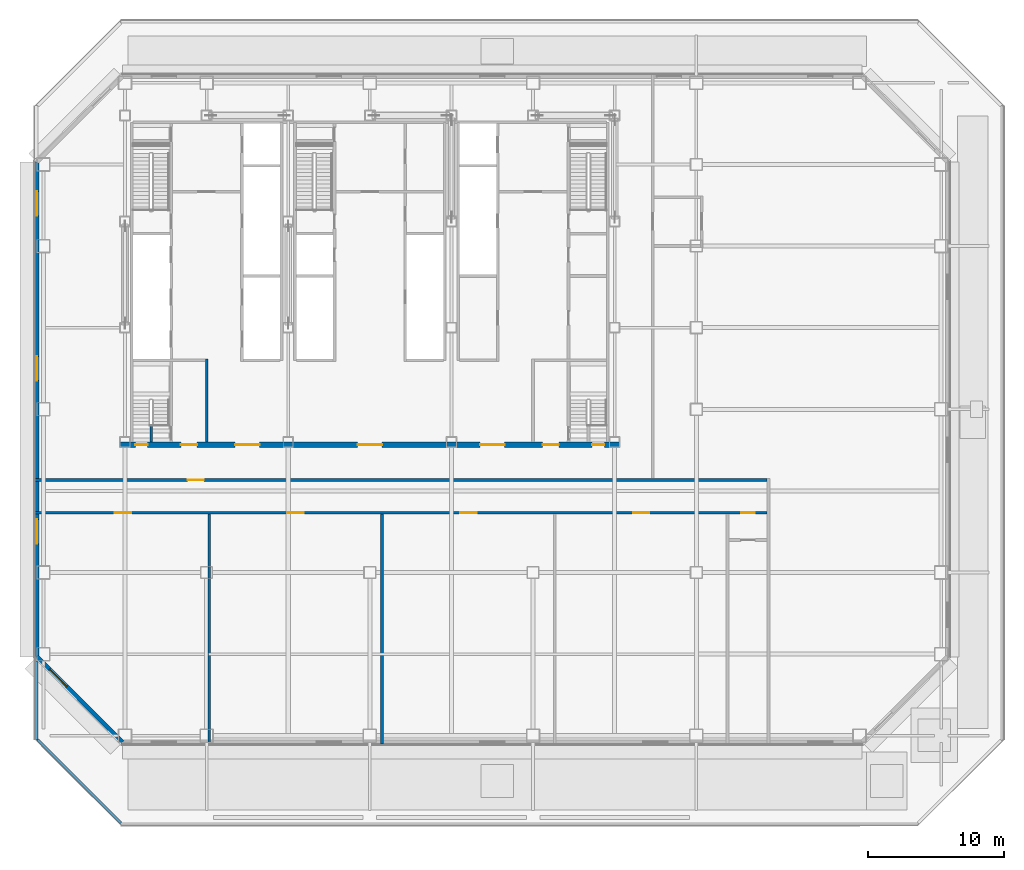
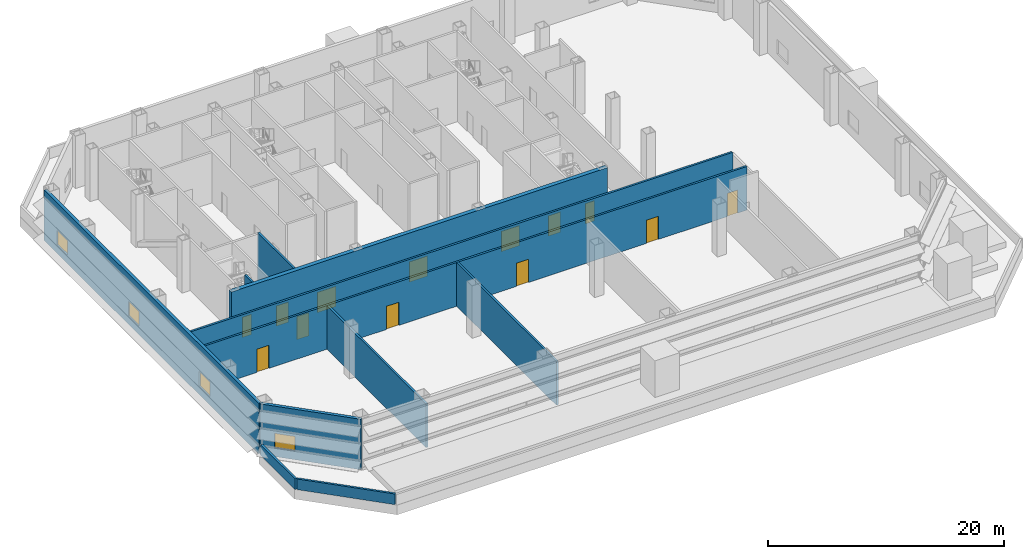
# One storey, part 3 of 11: 13 doors, 11 walls, 4 windows, 17 openings.
"""IFC4 building model written with IfcOpenShell, lengths in metres."""

from ifc_helpers import new_model, si_unit, direction, frame, frame_2d, origin, place, context, subcontext, project, spatial, rectangle, extrude, material, layer, layer_set, type_object, element, fill, save


model = new_model("IFC4")

# Units and contexts
model_context = context("Model", 3, precision=1e-05, world=origin(), true_north=direction((0.0, 1.0)))
body_context = subcontext(model_context, "Body", "Model", "MODEL_VIEW")
ifc_project = project(units=[si_unit("LENGTHUNIT", "METRE"), si_unit("AREAUNIT", "SQUARE_METRE"), si_unit("VOLUMEUNIT", "CUBIC_METRE"), si_unit("PLANEANGLEUNIT", "RADIAN"), si_unit("MASSUNIT", "GRAM", prefix="KILO")], contexts=[model_context])

# Site, building, storey
site_placement = place(None, origin())
site = spatial("IfcSite", under=ifc_project, at=site_placement, CompositionType="ELEMENT")
building_placement = place(site_placement, origin())
building = spatial("IfcBuilding", under=site, at=building_placement, Name="Sorahane Residences", CompositionType="ELEMENT")
storey_placement = place(building_placement, frame((0.0, 0.0, 44.39990234375)))
storey = spatial("IfcBuildingStorey", under=building, at=storey_placement, Name="L07", CompositionType="ELEMENT", Elevation=44.39990234375)

# Wall, opening, door
ifc_material_1 = material(Name="Concrete blockwork C20 wall", Category="masonry")
ifc_layer_1 = layer(ifc_material_1, 0.199951171875)
ifc_layer_set_1 = layer_set([ifc_layer_1], Name="Corridor wall 200 EI 120")
wall_type_1 = type_object("IfcWallType", Name="Corridor wall 200 EI 120", PredefinedType="SOLIDWALL", material=ifc_layer_set_1)
wall_1_placement = place(storey_placement, frame((-0.60009765625, 18.800048828125, 0.0), z_axis=(0.0, 0.0, 1.0), x_axis=(1.0, 0.0, 0.0)))
wall_1 = element("IfcWall", 1, at=wall_1_placement, inside=storey, type_object=wall_type_1, Name="L07 corridor wall", PredefinedType="SOLIDWALL", context=body_context, shape_type="SweptSolid", body=[
    extrude(rectangle(XDim=53.800048828125, YDim=0.199951171875, at=frame_2d((26.89990234375, 0.0))), origin(), (0.0, 0.0, 1.0), 4.52001953125),
])
opening_1_placement = place(wall_1_placement, frame((11.199951171875, 0.0, 0.0)))
opening_1 = element("IfcOpeningElement", 2, at=opening_1_placement, cuts=wall_1, Name="Opening L07-07", PredefinedType="OPENING", context=body_context, shape_type="SweptSolid", body=[
    extrude(rectangle(XDim=1.199951171875, YDim=2.39990234375, at=frame_2d((0.60009765625, 1.199951171875))), frame((0.0, 0.10986328125, 0.0), z_axis=(0.0, -1.0, 0.0), x_axis=(1.0, 0.0, 0.0)), (0.0, 0.0, 1.0), 0.219970703125),
])
ifc_material_2 = material(Name="Steel", Category="steel")
door_type_1 = type_object("IfcDoorType", Name="Lobby door 1200x2400 FD60", OperationType="NOTDEFINED", PredefinedType="DOOR", material=ifc_material_2)
door_1_placement = place(opening_1_placement, frame((1.199951171875, 0.0, 0.0), z_axis=(0.0, 0.0, 1.0), x_axis=(-1.0, 0.0, 0.0)))
door_1 = element("IfcDoor", 3, at=door_1_placement, inside=storey, type_object=door_type_1, Name="Lobby door L07-07", OperationType="SINGLE_SWING_RIGHT", OverallHeight=2.39990234375, OverallWidth=1.199951171875, PredefinedType="DOOR", context=body_context, shape_type="SweptSolid", body=[
    extrude(rectangle(XDim=1.199951171875, YDim=2.39990234375, at=frame_2d((0.60009765625, 1.199951171875))), frame((0.0, 0.02490234375, 0.0), z_axis=(0.0, -1.0, 0.0), x_axis=(1.0, 0.0, 0.0)), (0.0, 0.0, 1.0), 0.050048828125),
])
fill(opening_1, door_1)

# Wall, openings, windows
ifc_material_3 = material(Name="Graphite insulated metal-clad wall")
ifc_layer_2 = layer(ifc_material_3, 0.300048828125)
ifc_layer_set_2 = layer_set([ifc_layer_2], Name="External wall insulated metal-clad 300")
wall_type_2 = type_object("IfcWallType", Name="External wall insulated metal-clad 300", PredefinedType="SOLIDWALL", material=ifc_layer_set_2)
wall_2_placement = place(storey_placement, frame((-0.469970703125, 42.194580078125, 0.0), z_axis=(0.0, 0.0, 1.0), x_axis=(0.0, -1.0, 0.0)))
wall_2 = element("IfcWall", 4, at=wall_2_placement, inside=storey, type_object=wall_type_2, Name="External plant wall L07 W1", PredefinedType="SOLIDWALL", context=body_context, shape_type="SweptSolid", body=[
    extrude(rectangle(XDim=36.38916015625, YDim=0.300048828125, at=frame_2d((18.194580078125, 0.0))), origin(), (0.0, 0.0, 1.0), 5.22021484375),
])
opening_2_placement = place(wall_2_placement, frame((2.17041015625, 0.0, 0.89990234375)))
opening_2 = element("IfcOpeningElement", 5, at=opening_2_placement, cuts=wall_2, Name="Opening W-R1", PredefinedType="OPENING", context=body_context, shape_type="SweptSolid", body=[
    extrude(rectangle(XDim=1.800048828125, YDim=1.5, at=frame_2d((0.89990234375, 0.75))), frame((0.0, 0.159912109375, 0.0), z_axis=(0.0, -1.0, 0.0), x_axis=(1.0, 0.0, 0.0)), (0.0, 0.0, 1.0), 0.320068359375),
])
opening_3_placement = place(wall_2_placement, frame((14.294677734375, 0.0, 0.89990234375)))
opening_3 = element("IfcOpeningElement", 6, at=opening_3_placement, cuts=wall_2, Name="Opening W-R1", PredefinedType="OPENING", context=body_context, shape_type="SweptSolid", body=[
    extrude(rectangle(XDim=1.800048828125, YDim=1.5, at=frame_2d((0.89990234375, 0.75))), frame((0.0, 0.159912109375, 0.0), z_axis=(0.0, -1.0, 0.0), x_axis=(1.0, 0.0, 0.0)), (0.0, 0.0, 1.0), 0.320068359375),
])
opening_4_placement = place(wall_2_placement, frame((26.294677734375, 0.0, 0.89990234375)))
opening_4 = element("IfcOpeningElement", 7, at=opening_4_placement, cuts=wall_2, Name="Opening W-R1", PredefinedType="OPENING", context=body_context, shape_type="SweptSolid", body=[
    extrude(rectangle(XDim=1.800048828125, YDim=1.5, at=frame_2d((0.89990234375, 0.75))), frame((0.0, 0.159912109375, 0.0), z_axis=(0.0, -1.0, 0.0), x_axis=(1.0, 0.0, 0.0)), (0.0, 0.0, 1.0), 0.320068359375),
])
ifc_material_4 = material(Name="Dark aluminium and glass", Category="aluminium")
window_type = type_object("IfcWindowType", Name="Openable Class B fire window dark aluminium 1800x1500", PartitioningType="SINGLE_PANEL", PredefinedType="WINDOW", material=ifc_material_4)
window_1_placement = place(opening_2_placement, origin())
window_1 = element("IfcWindow", 8, at=window_1_placement, inside=storey, type_object=window_type, Name="Openable fire window L07 W1.1", OverallHeight=1.5, OverallWidth=1.800048828125, PartitioningType="SINGLE_PANEL", PredefinedType="WINDOW", context=body_context, shape_type="SweptSolid", body=[
    extrude(rectangle(XDim=1.800048828125, YDim=1.5, at=frame_2d((0.89990234375, 0.75))), frame((0.0, 0.030029296875, 0.0), z_axis=(0.0, -1.0, 0.0), x_axis=(1.0, 0.0, 0.0)), (0.0, 0.0, 1.0), 0.06005859375),
])
fill(opening_2, window_1)
window_2_placement = place(opening_3_placement, origin())
window_2 = element("IfcWindow", 9, at=window_2_placement, inside=storey, type_object=window_type, Name="Openable fire window L07 W1.3", OverallHeight=1.5, OverallWidth=1.800048828125, PartitioningType="SINGLE_PANEL", PredefinedType="WINDOW", context=body_context, shape_type="SweptSolid", body=[
    extrude(rectangle(XDim=1.800048828125, YDim=1.5, at=frame_2d((0.89990234375, 0.75))), frame((0.0, 0.030029296875, 0.0), z_axis=(0.0, -1.0, 0.0), x_axis=(1.0, 0.0, 0.0)), (0.0, 0.0, 1.0), 0.06005859375),
])
fill(opening_3, window_2)
window_3_placement = place(opening_4_placement, origin())
window_3 = element("IfcWindow", 10, at=window_3_placement, inside=storey, type_object=window_type, Name="Openable fire window L07 W1.5", OverallHeight=1.5, OverallWidth=1.800048828125, PartitioningType="SINGLE_PANEL", PredefinedType="WINDOW", context=body_context, shape_type="SweptSolid", body=[
    extrude(rectangle(XDim=1.800048828125, YDim=1.5, at=frame_2d((0.89990234375, 0.75))), frame((0.0, 0.030029296875, 0.0), z_axis=(0.0, -1.0, 0.0), x_axis=(1.0, 0.0, 0.0)), (0.0, 0.0, 1.0), 0.06005859375),
])
fill(opening_4, window_3)

# Wall, opening, window
wall_3_placement = place(storey_placement, frame((-0.469970703125, 5.805419921875, 0.0), z_axis=(0.0, 0.0, 1.0), x_axis=(0.707106781187, -0.707106781187, 0.0)))
wall_3 = element("IfcWall", 11, at=wall_3_placement, inside=storey, type_object=wall_type_2, Name="External plant wall L07 SW1", PredefinedType="SOLIDWALL", context=body_context, shape_type="SweptSolid", body=[
    extrude(rectangle(XDim=8.874755859375, YDim=0.300048828125, at=frame_2d((4.4375, 0.0))), origin(), (0.0, 0.0, 1.0), 5.22021484375),
])
opening_5_placement = place(wall_3_placement, frame((1.291748046875, 0.0, 0.89990234375)))
opening_5 = element("IfcOpeningElement", 12, at=opening_5_placement, cuts=wall_3, Name="Opening W-R1", PredefinedType="OPENING", context=body_context, shape_type="SweptSolid", body=[
    extrude(rectangle(XDim=1.800048828125, YDim=1.5, at=frame_2d((0.89990234375, 0.75))), frame((0.0, 0.159912109375, 0.0), z_axis=(0.0, -1.0, 0.0), x_axis=(1.0, 0.0, 0.0)), (0.0, 0.0, 1.0), 0.320068359375),
])
window_4_placement = place(opening_5_placement, origin())
window_4 = element("IfcWindow", 13, at=window_4_placement, inside=storey, type_object=window_type, Name="Openable fire window L07 SW1.1", OverallHeight=1.5, OverallWidth=1.800048828125, PartitioningType="SINGLE_PANEL", PredefinedType="WINDOW", context=body_context, shape_type="SweptSolid", body=[
    extrude(rectangle(XDim=1.800048828125, YDim=1.5, at=frame_2d((0.89990234375, 0.75))), frame((0.0, 0.030029296875, 0.0), z_axis=(0.0, -1.0, 0.0), x_axis=(1.0, 0.0, 0.0)), (0.0, 0.0, 1.0), 0.06005859375),
])
fill(opening_5, window_4)

# Wall, openings, doors
ifc_material_5 = material(Name="Concrete blockwork C20 wall", Category="masonry")
ifc_layer_3 = layer(ifc_material_5, 0.199951171875)
ifc_layer_set_3 = layer_set([ifc_layer_3], Name="Fire wall 200 EI 120")
wall_type_3 = type_object("IfcWallType", Name="Fire wall 200 EI 120", PredefinedType="SOLIDWALL", material=ifc_layer_set_3)
wall_4_placement = place(storey_placement, frame((-0.60009765625, 16.39990234375, 0.0), z_axis=(0.0, 0.0, 1.0), x_axis=(1.0, 0.0, 0.0)))
wall_4 = element("IfcWall", 14, at=wall_4_placement, inside=storey, type_object=wall_type_3, Name="L07 fire wall", PredefinedType="SOLIDWALL", context=body_context, shape_type="SweptSolid", body=[
    extrude(rectangle(XDim=53.800048828125, YDim=0.199951171875, at=frame_2d((26.89990234375, 0.0))), origin(), (0.0, 0.0, 1.0), 4.52001953125),
])
opening_6_placement = place(wall_4_placement, frame((5.85009765625, 0.0, 0.0)))
opening_6 = element("IfcOpeningElement", 15, at=opening_6_placement, cuts=wall_4, Name="Opening L07-01", PredefinedType="OPENING", context=body_context, shape_type="SweptSolid", body=[
    extrude(rectangle(XDim=1.199951171875, YDim=2.39990234375, at=frame_2d((0.60009765625, 1.199951171875))), frame((0.0, 0.10986328125, 0.0), z_axis=(0.0, -1.0, 0.0), x_axis=(1.0, 0.0, 0.0)), (0.0, 0.0, 1.0), 0.219970703125),
])
opening_7_placement = place(wall_4_placement, frame((18.550048828125, 0.0, 0.0)))
opening_7 = element("IfcOpeningElement", 16, at=opening_7_placement, cuts=wall_4, Name="Opening L07-02", PredefinedType="OPENING", context=body_context, shape_type="SweptSolid", body=[
    extrude(rectangle(XDim=1.199951171875, YDim=2.39990234375, at=frame_2d((0.60009765625, 1.199951171875))), frame((0.0, 0.10986328125, 0.0), z_axis=(0.0, -1.0, 0.0), x_axis=(1.0, 0.0, 0.0)), (0.0, 0.0, 1.0), 0.219970703125),
])
opening_8_placement = place(wall_4_placement, frame((31.25, 0.0, 0.0)))
opening_8 = element("IfcOpeningElement", 17, at=opening_8_placement, cuts=wall_4, Name="Opening L07-03", PredefinedType="OPENING", context=body_context, shape_type="SweptSolid", body=[
    extrude(rectangle(XDim=1.199951171875, YDim=2.39990234375, at=frame_2d((0.60009765625, 1.199951171875))), frame((0.0, 0.10986328125, 0.0), z_axis=(0.0, -1.0, 0.0), x_axis=(1.0, 0.0, 0.0)), (0.0, 0.0, 1.0), 0.219970703125),
])
opening_9_placement = place(wall_4_placement, frame((43.949951171875, 0.0, 0.0)))
opening_9 = element("IfcOpeningElement", 18, at=opening_9_placement, cuts=wall_4, Name="Opening L07-04", PredefinedType="OPENING", context=body_context, shape_type="SweptSolid", body=[
    extrude(rectangle(XDim=1.199951171875, YDim=2.39990234375, at=frame_2d((0.60009765625, 1.199951171875))), frame((0.0, 0.10986328125, 0.0), z_axis=(0.0, -1.0, 0.0), x_axis=(1.0, 0.0, 0.0)), (0.0, 0.0, 1.0), 0.219970703125),
])
opening_10_placement = place(wall_4_placement, frame((51.89990234375, 0.0, 0.0)))
opening_10 = element("IfcOpeningElement", 19, at=opening_10_placement, cuts=wall_4, Name="Opening L07-05", PredefinedType="OPENING", context=body_context, shape_type="SweptSolid", body=[
    extrude(rectangle(XDim=1.0, YDim=2.39990234375, at=frame_2d((0.5, 1.199951171875))), frame((0.0, 0.10986328125, 0.0), z_axis=(0.0, -1.0, 0.0), x_axis=(1.0, 0.0, 0.0)), (0.0, 0.0, 1.0), 0.219970703125),
])
ifc_material_6 = material(Name="Steel", Category="steel")
door_type_2 = type_object("IfcDoorType", Name="Fire door 1000x2400 FD60", OperationType="NOTDEFINED", PredefinedType="DOOR", material=ifc_material_6)
door_2_placement = place(opening_10_placement, origin())
door_2 = element("IfcDoor", 20, at=door_2_placement, inside=storey, type_object=door_type_2, Name="Fire door L07-05", OperationType="SINGLE_SWING_LEFT", OverallHeight=2.39990234375, OverallWidth=1.0, PredefinedType="DOOR", context=body_context, shape_type="SweptSolid", body=[
    extrude(rectangle(XDim=1.0, YDim=2.39990234375, at=frame_2d((0.5, 1.199951171875))), frame((0.0, 0.02490234375, 0.0), z_axis=(0.0, -1.0, 0.0), x_axis=(1.0, 0.0, 0.0)), (0.0, 0.0, 1.0), 0.050048828125),
])
fill(opening_10, door_2)
ifc_material_7 = material(Name="Steel", Category="steel")
door_type_3 = type_object("IfcDoorType", Name="Plant door 1200x2400 FD60", OperationType="NOTDEFINED", PredefinedType="DOOR", material=ifc_material_7)
door_3_placement = place(opening_6_placement, origin())
door_3 = element("IfcDoor", 21, at=door_3_placement, inside=storey, type_object=door_type_3, Name="Plant door L07-01", OperationType="SINGLE_SWING_LEFT", OverallHeight=2.39990234375, OverallWidth=1.199951171875, PredefinedType="DOOR", context=body_context, shape_type="SweptSolid", body=[
    extrude(rectangle(XDim=1.199951171875, YDim=2.39990234375, at=frame_2d((0.60009765625, 1.199951171875))), frame((0.0, 0.02490234375, 0.0), z_axis=(0.0, -1.0, 0.0), x_axis=(1.0, 0.0, 0.0)), (0.0, 0.0, 1.0), 0.050048828125),
])
fill(opening_6, door_3)
door_4_placement = place(opening_7_placement, origin())
door_4 = element("IfcDoor", 22, at=door_4_placement, inside=storey, type_object=door_type_3, Name="Plant door L07-02", OperationType="SINGLE_SWING_RIGHT", OverallHeight=2.39990234375, OverallWidth=1.199951171875, PredefinedType="DOOR", context=body_context, shape_type="SweptSolid", body=[
    extrude(rectangle(XDim=1.199951171875, YDim=2.39990234375, at=frame_2d((0.60009765625, 1.199951171875))), frame((0.0, 0.02490234375, 0.0), z_axis=(0.0, -1.0, 0.0), x_axis=(1.0, 0.0, 0.0)), (0.0, 0.0, 1.0), 0.050048828125),
])
fill(opening_7, door_4)
door_5_placement = place(opening_8_placement, frame((1.199951171875, 0.0, 0.0), z_axis=(0.0, 0.0, 1.0), x_axis=(-1.0, 0.0, 0.0)))
door_5 = element("IfcDoor", 23, at=door_5_placement, inside=storey, type_object=door_type_3, Name="Plant door L07-03", OperationType="SINGLE_SWING_RIGHT", OverallHeight=2.39990234375, OverallWidth=1.199951171875, PredefinedType="DOOR", context=body_context, shape_type="SweptSolid", body=[
    extrude(rectangle(XDim=1.199951171875, YDim=2.39990234375, at=frame_2d((0.60009765625, 1.199951171875))), frame((0.0, 0.02490234375, 0.0), z_axis=(0.0, -1.0, 0.0), x_axis=(1.0, 0.0, 0.0)), (0.0, 0.0, 1.0), 0.050048828125),
])
fill(opening_8, door_5)
door_6_placement = place(opening_9_placement, frame((1.199951171875, 0.0, 0.0), z_axis=(0.0, 0.0, 1.0), x_axis=(-1.0, 0.0, 0.0)))
door_6 = element("IfcDoor", 24, at=door_6_placement, inside=storey, type_object=door_type_3, Name="Plant door L07-04", OperationType="SINGLE_SWING_LEFT", OverallHeight=2.39990234375, OverallWidth=1.199951171875, PredefinedType="DOOR", context=body_context, shape_type="SweptSolid", body=[
    extrude(rectangle(XDim=1.199951171875, YDim=2.39990234375, at=frame_2d((0.60009765625, 1.199951171875))), frame((0.0, 0.02490234375, 0.0), z_axis=(0.0, -1.0, 0.0), x_axis=(1.0, 0.0, 0.0)), (0.0, 0.0, 1.0), 0.050048828125),
])
fill(opening_9, door_6)

# Walls
ifc_material_8 = material(Name="Concrete C30", Category="concrete")
ifc_layer_4 = layer(ifc_material_8, 0.199951171875)
ifc_layer_set_4 = layer_set([ifc_layer_4], Name="Front room wall 200 EI 120")
wall_type_4 = type_object("IfcWallType", Name="Front room wall 200 EI 120", PredefinedType="PARTITIONING", material=ifc_layer_set_4)
wall_5_placement = place(storey_placement, frame((12.0, 21.60009765625, 0.0), z_axis=(0.0, 0.0, 1.0), x_axis=(0.0, 1.0, 0.0)))
element("IfcWall", 25, at=wall_5_placement, inside=storey, type_object=wall_type_4, Name="L07 front room wall", PredefinedType="PARTITIONING", context=body_context, shape_type="SweptSolid", body=[
    extrude(rectangle(XDim=6.099853515625, YDim=0.199951171875, at=frame_2d((3.0498046875, 0.0))), origin(), (0.0, 0.0, 1.0), 5.22021484375),
])
ifc_material_9 = material(Name="Concrete C35", Category="concrete")
ifc_layer_5 = layer(ifc_material_9, 0.199951171875)
ifc_layer_set_5 = layer_set([ifc_layer_5], Name="Parapet wall Concrete C35 200")
wall_type_5 = type_object("IfcWallType", Name="Parapet wall Concrete C35 200", PredefinedType="PARAPET", material=ifc_layer_set_5)
wall_6_placement = place(storey_placement, frame((5.6904296875, -6.3974609375, 0.0), z_axis=(0.0, 0.0, 1.0), x_axis=(-0.707106781187, 0.707106781187, 0.0)))
element("IfcWall", 26, at=wall_6_placement, inside=storey, type_object=wall_type_5, Name="Roof parapet L07.1.1.8", PredefinedType="PARAPET", context=body_context, shape_type="SweptSolid", body=[
    extrude(rectangle(XDim=8.609619140625, YDim=0.199951171875, at=frame_2d((4.3046875, 0.0))), origin(), (0.0, 0.0, 1.0), 1.10009765625),
])
wall_7_placement = place(storey_placement, frame((-0.5, -0.30712890625, 0.0), z_axis=(0.0, 0.0, 1.0), x_axis=(0.0, 1.0, 0.0)))
element("IfcWall", 27, at=wall_7_placement, inside=storey, type_object=wall_type_5, Name="Roof parapet L07.1.1.9", PredefinedType="PARAPET", context=body_context, shape_type="SweptSolid", body=[
    extrude(rectangle(XDim=5.817138671875, YDim=0.199951171875, at=frame_2d((2.90869140625, 0.0))), origin(), (0.0, 0.0, 1.0), 1.10009765625),
])
ifc_material_10 = material(Name="Concrete blockwork C20 wall", Category="masonry")
ifc_layer_6 = layer(ifc_material_10, 0.199951171875)
ifc_layer_set_6 = layer_set([ifc_layer_6], Name="Plant wall 200 EI 120")
wall_type_6 = type_object("IfcWallType", Name="Plant wall 200 EI 120", PredefinedType="SOLIDWALL", material=ifc_layer_set_6)
wall_8_placement = place(storey_placement, frame((12.199951171875, -0.5, 0.0), z_axis=(0.0, 0.0, 1.0), x_axis=(0.0, 1.0, 0.0)))
element("IfcWall", 28, at=wall_8_placement, inside=storey, type_object=wall_type_6, Name="L07 plant wall", PredefinedType="SOLIDWALL", context=body_context, shape_type="SweptSolid", body=[
    extrude(rectangle(XDim=16.800048828125, YDim=0.199951171875, at=frame_2d((8.39990234375, 0.0))), origin(), (0.0, 0.0, 1.0), 4.52001953125),
])
wall_9_placement = place(storey_placement, frame((24.89990234375, -0.60009765625, 0.0), z_axis=(0.0, 0.0, 1.0), x_axis=(0.0, 1.0, 0.0)))
element("IfcWall", 29, at=wall_9_placement, inside=storey, type_object=wall_type_6, Name="L07 plant wall", PredefinedType="SOLIDWALL", context=body_context, shape_type="SweptSolid", body=[
    extrude(rectangle(XDim=16.900146484375, YDim=0.199951171875, at=frame_2d((8.4501953125, 0.0))), origin(), (0.0, 0.0, 1.0), 4.52001953125),
])
ifc_material_11 = material(Name="Concrete C30", Category="concrete")
ifc_layer_7 = layer(ifc_material_11, 0.199951171875)
ifc_layer_set_7 = layer_set([ifc_layer_7], Name="Stair enclosure wall 200 EI 120")
wall_type_7 = type_object("IfcWallType", Name="Stair enclosure wall 200 EI 120", PredefinedType="SOLIDWALL", material=ifc_layer_set_7)
wall_10_placement = place(storey_placement, frame((7.925048828125, 21.60009765625, 0.0), z_axis=(0.0, 0.0, 1.0), x_axis=(0.0, 1.0, 0.0)))
element("IfcWall", 30, at=wall_10_placement, inside=storey, type_object=wall_type_7, Name="L07 stair enclosure wall", PredefinedType="SOLIDWALL", context=body_context, shape_type="SweptSolid", body=[
    extrude(rectangle(XDim=1.25, YDim=0.199951171875, at=frame_2d((0.625, 0.0))), origin(), (0.0, 0.0, 1.0), 5.22021484375),
])

# Wall, openings, doors
ifc_material_12 = material(Name="Concrete C30", Category="concrete")
ifc_layer_8 = layer(ifc_material_12, 0.39990234375)
ifc_layer_set_8 = layer_set([ifc_layer_8], Name="Waiting hall wall 400 EI 120")
wall_type_8 = type_object("IfcWallType", Name="Waiting hall wall 400 EI 120", PredefinedType="SOLIDWALL", material=ifc_layer_set_8)
wall_11_placement = place(storey_placement, frame((5.60009765625, 21.39990234375, 0.0), z_axis=(0.0, 0.0, 1.0), x_axis=(1.0, 0.0, 0.0)))
wall_11 = element("IfcWall", 31, at=wall_11_placement, inside=storey, type_object=wall_type_8, Name="L07 waiting hall wall", PredefinedType="SOLIDWALL", context=body_context, shape_type="SweptSolid", body=[
    extrude(rectangle(XDim=36.7998046875, YDim=0.39990234375, at=frame_2d((18.39990234375, 0.0))), origin(), (0.0, 0.0, 1.0), 5.22021484375),
])
opening_11_placement = place(wall_11_placement, frame((8.5, 0.0, 0.0)))
opening_11 = element("IfcOpeningElement", 32, at=opening_11_placement, cuts=wall_11, Name="Opening L07-C01", PredefinedType="OPENING", context=body_context, shape_type="SweptSolid", body=[
    extrude(rectangle(XDim=1.800048828125, YDim=2.10009765625, at=frame_2d((0.89990234375, 1.050048828125))), frame((0.0, 0.2099609375, 0.0), z_axis=(0.0, -1.0, 0.0), x_axis=(1.0, 0.0, 0.0)), (0.0, 0.0, 1.0), 0.419921875),
])
opening_12_placement = place(wall_11_placement, frame((17.5, 0.0, 0.0)))
opening_12 = element("IfcOpeningElement", 33, at=opening_12_placement, cuts=wall_11, Name="Opening L07-C02", PredefinedType="OPENING", context=body_context, shape_type="SweptSolid", body=[
    extrude(rectangle(XDim=1.800048828125, YDim=2.10009765625, at=frame_2d((0.89990234375, 1.050048828125))), frame((0.0, 0.2099609375, 0.0), z_axis=(0.0, -1.0, 0.0), x_axis=(1.0, 0.0, 0.0)), (0.0, 0.0, 1.0), 0.419921875),
])
opening_13_placement = place(wall_11_placement, frame((26.5, 0.0, 0.0)))
opening_13 = element("IfcOpeningElement", 34, at=opening_13_placement, cuts=wall_11, Name="Opening L07-C03", PredefinedType="OPENING", context=body_context, shape_type="SweptSolid", body=[
    extrude(rectangle(XDim=1.800048828125, YDim=2.10009765625, at=frame_2d((0.89990234375, 1.050048828125))), frame((0.0, 0.2099609375, 0.0), z_axis=(0.0, -1.0, 0.0), x_axis=(1.0, 0.0, 0.0)), (0.0, 0.0, 1.0), 0.419921875),
])
opening_14_placement = place(wall_11_placement, frame((4.5, 0.0, 0.0)))
opening_14 = element("IfcOpeningElement", 35, at=opening_14_placement, cuts=wall_11, Name="Opening L07-C04", PredefinedType="OPENING", context=body_context, shape_type="SweptSolid", body=[
    extrude(rectangle(XDim=1.199951171875, YDim=2.10009765625, at=frame_2d((0.60009765625, 1.050048828125))), frame((0.0, 0.2099609375, 0.0), z_axis=(0.0, -1.0, 0.0), x_axis=(1.0, 0.0, 0.0)), (0.0, 0.0, 1.0), 0.419921875),
])
opening_15_placement = place(wall_11_placement, frame((31.10009765625, 0.0, 0.0)))
opening_15 = element("IfcOpeningElement", 36, at=opening_15_placement, cuts=wall_11, Name="Opening L07-C05", PredefinedType="OPENING", context=body_context, shape_type="SweptSolid", body=[
    extrude(rectangle(XDim=1.199951171875, YDim=2.10009765625, at=frame_2d((0.60009765625, 1.050048828125))), frame((0.0, 0.2099609375, 0.0), z_axis=(0.0, -1.0, 0.0), x_axis=(1.0, 0.0, 0.0)), (0.0, 0.0, 1.0), 0.419921875),
])
opening_16_placement = place(wall_11_placement, frame((1.16259765625, 0.0, 0.0)))
opening_16 = element("IfcOpeningElement", 37, at=opening_16_placement, cuts=wall_11, Name="Opening L07-C25", PredefinedType="OPENING", context=body_context, shape_type="SweptSolid", body=[
    extrude(rectangle(XDim=0.89990234375, YDim=2.10009765625, at=frame_2d((0.449951171875, 1.050048828125))), frame((0.0, 0.2099609375, 0.0), z_axis=(0.0, -1.0, 0.0), x_axis=(1.0, 0.0, 0.0)), (0.0, 0.0, 1.0), 0.419921875),
])
opening_17_placement = place(wall_11_placement, frame((34.737548828125, 0.0, 0.0)))
opening_17 = element("IfcOpeningElement", 38, at=opening_17_placement, cuts=wall_11, Name="Opening L07-C28", PredefinedType="OPENING", context=body_context, shape_type="SweptSolid", body=[
    extrude(rectangle(XDim=0.89990234375, YDim=2.10009765625, at=frame_2d((0.449951171875, 1.050048828125))), frame((0.0, 0.2099609375, 0.0), z_axis=(0.0, -1.0, 0.0), x_axis=(1.0, 0.0, 0.0)), (0.0, 0.0, 1.0), 0.419921875),
])
ifc_material_13 = material(Name="Steel", Category="steel")
door_type_4 = type_object("IfcDoorType", Name="Refuge stair door 900x2100 FD120", OperationType="NOTDEFINED", PredefinedType="DOOR", material=ifc_material_13)
door_7_placement = place(opening_16_placement, origin())
door_7 = element("IfcDoor", 39, at=door_7_placement, inside=storey, type_object=door_type_4, Name="Refuge stair door S4 L07", OperationType="SINGLE_SWING_LEFT", OverallHeight=2.10009765625, OverallWidth=0.89990234375, PredefinedType="DOOR", context=body_context, shape_type="SweptSolid", body=[
    extrude(rectangle(XDim=0.89990234375, YDim=2.10009765625, at=frame_2d((0.449951171875, 1.050048828125))), frame((0.0, 0.02490234375, 0.0), z_axis=(0.0, -1.0, 0.0), x_axis=(1.0, 0.0, 0.0)), (0.0, 0.0, 1.0), 0.050048828125),
])
fill(opening_16, door_7)
door_8_placement = place(opening_17_placement, origin())
door_8 = element("IfcDoor", 40, at=door_8_placement, inside=storey, type_object=door_type_4, Name="Refuge stair door S5 L07", OperationType="SINGLE_SWING_LEFT", OverallHeight=2.10009765625, OverallWidth=0.89990234375, PredefinedType="DOOR", context=body_context, shape_type="SweptSolid", body=[
    extrude(rectangle(XDim=0.89990234375, YDim=2.10009765625, at=frame_2d((0.449951171875, 1.050048828125))), frame((0.0, 0.02490234375, 0.0), z_axis=(0.0, -1.0, 0.0), x_axis=(1.0, 0.0, 0.0)), (0.0, 0.0, 1.0), 0.050048828125),
])
fill(opening_17, door_8)
ifc_material_14 = material(Name="Steel", Category="steel")
door_type_5 = type_object("IfcDoorType", Name="Stair front room door 1200x2100 FD120", OperationType="NOTDEFINED", PredefinedType="DOOR", material=ifc_material_14)
door_9_placement = place(opening_14_placement, frame((1.199951171875, 0.0, 0.0), z_axis=(0.0, 0.0, 1.0), x_axis=(-1.0, 0.0, 0.0)))
door_9 = element("IfcDoor", 41, at=door_9_placement, inside=storey, type_object=door_type_5, Name="Stair front room door Stair S4 front room L07", OperationType="SINGLE_SWING_LEFT", OverallHeight=2.10009765625, OverallWidth=1.199951171875, PredefinedType="DOOR", context=body_context, shape_type="SweptSolid", body=[
    extrude(rectangle(XDim=1.199951171875, YDim=2.10009765625, at=frame_2d((0.60009765625, 1.050048828125))), frame((0.0, 0.02490234375, 0.0), z_axis=(0.0, -1.0, 0.0), x_axis=(1.0, 0.0, 0.0)), (0.0, 0.0, 1.0), 0.050048828125),
])
fill(opening_14, door_9)
door_10_placement = place(opening_15_placement, frame((1.199951171875, 0.0, 0.0), z_axis=(0.0, 0.0, 1.0), x_axis=(-1.0, 0.0, 0.0)))
door_10 = element("IfcDoor", 42, at=door_10_placement, inside=storey, type_object=door_type_5, Name="Stair front room door Stair S5 front room L07", OperationType="SINGLE_SWING_LEFT", OverallHeight=2.10009765625, OverallWidth=1.199951171875, PredefinedType="DOOR", context=body_context, shape_type="SweptSolid", body=[
    extrude(rectangle(XDim=1.199951171875, YDim=2.10009765625, at=frame_2d((0.60009765625, 1.050048828125))), frame((0.0, 0.02490234375, 0.0), z_axis=(0.0, -1.0, 0.0), x_axis=(1.0, 0.0, 0.0)), (0.0, 0.0, 1.0), 0.050048828125),
])
fill(opening_15, door_10)
ifc_material_15 = material(Name="Steel", Category="steel")
door_type_6 = type_object("IfcDoorType", Name="Waiting hall door 1800x2100 FD60", OperationType="NOTDEFINED", PredefinedType="DOOR", material=ifc_material_15)
door_11_placement = place(opening_11_placement, frame((1.800048828125, 0.0, 0.0), z_axis=(0.0, 0.0, 1.0), x_axis=(-1.0, 0.0, 0.0)))
door_11 = element("IfcDoor", 43, at=door_11_placement, inside=storey, type_object=door_type_6, Name="Waiting hall door Residents' waiting hall L07", OperationType="SINGLE_SWING_LEFT", OverallHeight=2.10009765625, OverallWidth=1.800048828125, PredefinedType="DOOR", context=body_context, shape_type="SweptSolid", body=[
    extrude(rectangle(XDim=1.800048828125, YDim=2.10009765625, at=frame_2d((0.89990234375, 1.050048828125))), frame((0.0, 0.02490234375, 0.0), z_axis=(0.0, -1.0, 0.0), x_axis=(1.0, 0.0, 0.0)), (0.0, 0.0, 1.0), 0.050048828125),
])
fill(opening_11, door_11)
door_12_placement = place(opening_12_placement, frame((1.800048828125, 0.0, 0.0), z_axis=(0.0, 0.0, 1.0), x_axis=(-1.0, 0.0, 0.0)))
door_12 = element("IfcDoor", 44, at=door_12_placement, inside=storey, type_object=door_type_6, Name="Waiting hall door Residents' waiting hall L07", OperationType="SINGLE_SWING_LEFT", OverallHeight=2.10009765625, OverallWidth=1.800048828125, PredefinedType="DOOR", context=body_context, shape_type="SweptSolid", body=[
    extrude(rectangle(XDim=1.800048828125, YDim=2.10009765625, at=frame_2d((0.89990234375, 1.050048828125))), frame((0.0, 0.02490234375, 0.0), z_axis=(0.0, -1.0, 0.0), x_axis=(1.0, 0.0, 0.0)), (0.0, 0.0, 1.0), 0.050048828125),
])
fill(opening_12, door_12)
door_13_placement = place(opening_13_placement, frame((1.800048828125, 0.0, 0.0), z_axis=(0.0, 0.0, 1.0), x_axis=(-1.0, 0.0, 0.0)))
door_13 = element("IfcDoor", 45, at=door_13_placement, inside=storey, type_object=door_type_6, Name="Waiting hall door Residents' waiting hall L07", OperationType="SINGLE_SWING_LEFT", OverallHeight=2.10009765625, OverallWidth=1.800048828125, PredefinedType="DOOR", context=body_context, shape_type="SweptSolid", body=[
    extrude(rectangle(XDim=1.800048828125, YDim=2.10009765625, at=frame_2d((0.89990234375, 1.050048828125))), frame((0.0, 0.02490234375, 0.0), z_axis=(0.0, -1.0, 0.0), x_axis=(1.0, 0.0, 0.0)), (0.0, 0.0, 1.0), 0.050048828125),
])
fill(opening_13, door_13)

save(model, "model.ifc")
